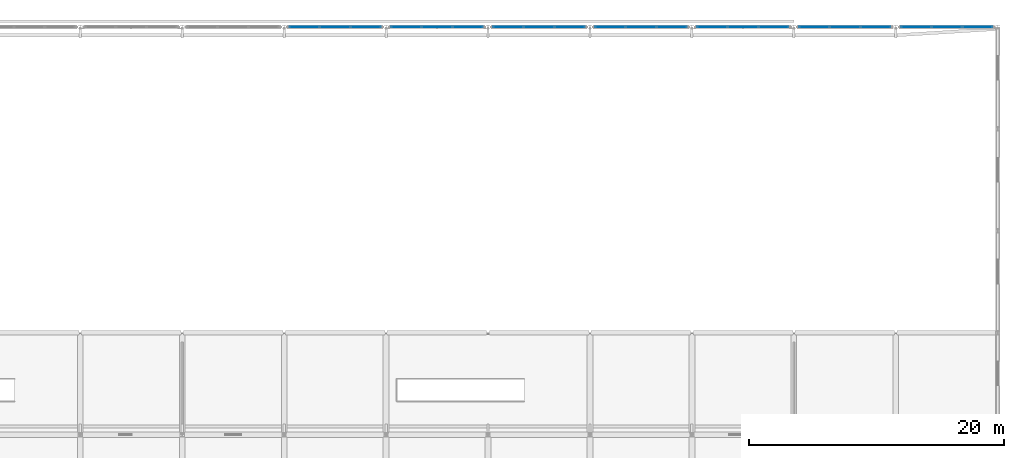
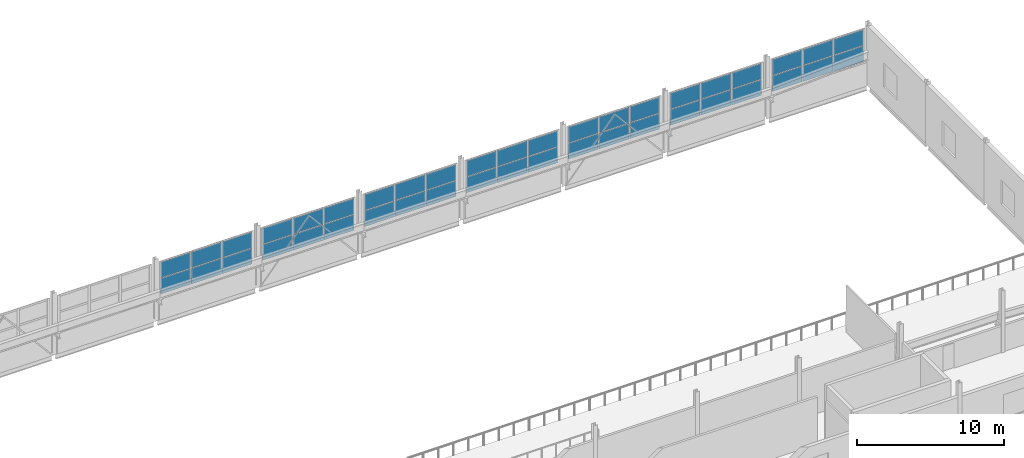
# One storey, part 76 of 106: 42 plates, 7 elements without a shape of their own.
"""IFC4 building model written with IfcOpenShell, lengths in metres."""

from ifc_helpers import new_model, si_unit, direction, frame, origin, origin_2d, place, context, subcontext, project, spatial, rectangle, extrude, material, layer, layer_set, type_object, element, aggregate, save


model = new_model("IFC4")

# Units and contexts
model_context = context("Model", 3, precision=1e-05, world=origin(), true_north=direction((0.0, 1.0)))
body_context = subcontext(model_context, "Body", "Model", "MODEL_VIEW")
ifc_project = project(units=[si_unit("LENGTHUNIT", "METRE"), si_unit("AREAUNIT", "SQUARE_METRE"), si_unit("VOLUMEUNIT", "CUBIC_METRE"), si_unit("PLANEANGLEUNIT", "RADIAN"), si_unit("MASSUNIT", "GRAM", prefix="KILO")], contexts=[model_context])

# Site, building, storey
site_placement = place(None, origin())
site = spatial("IfcSite", under=ifc_project, at=site_placement, CompositionType="ELEMENT")
building_placement = place(site_placement, origin())
building = spatial("IfcBuilding", under=site, at=building_placement, Name="Jelvoka-Kovrelna Polytechnic", CompositionType="ELEMENT")
storey_placement = place(building_placement, frame((0.0, 0.0, 4.800048828125)))
storey = spatial("IfcBuildingStorey", under=building, at=storey_placement, Name="L02", CompositionType="ELEMENT", Elevation=4.800048828125)

# Curtain wall, plates
ifc_material_1 = material(Name="Anodised aluminium 6063-T6", Category="aluminium")
ifc_layer_1 = layer(ifc_material_1, 0.199951171875)
ifc_layer_set_1 = layer_set([ifc_layer_1], Name="Anodised aluminium 6063-T6")
curtain_wall_type = type_object("IfcCurtainWallType", Name="CW_Clerestory", PredefinedType="NOTDEFINED", material=ifc_layer_set_1)
curtain_wall_1_placement = place(storey_placement, origin())
curtain_wall_1 = element("IfcCurtainWall", 1, at=curtain_wall_1_placement, inside=storey, type_object=curtain_wall_type, Name="L02 glazed curtain wall 176", PredefinedType="NOTDEFINED")
ifc_material_2 = material(Name="Solar-control double glazing", Category="glass")
ifc_layer_2 = layer(ifc_material_2, 0.035888671875)
ifc_layer_set_2 = layer_set([ifc_layer_2], Name="Solar-control double glazing")
plate_type = type_object("IfcPlateType", Name="Panel_GP-03", PredefinedType="CURTAIN_PANEL", material=ifc_layer_set_2)
plate_1_placement = place(storey_placement, frame((145.5908203125, 120.0, 2.011962890625), z_axis=(0.0, 0.0, 1.0), x_axis=(1.0, 0.0, 0.0)))
plate_1 = element("IfcPlate", 2, at=plate_1_placement, type_object=plate_type, Name="CW-03 panel 1.1", PredefinedType="CURTAIN_PANEL", context=body_context, shape_type="SweptSolid", body=[
    extrude(rectangle(XDim=2.337890625, YDim=0.035888671875, at=origin_2d()), origin(), (0.0, 0.0, 1.0), 1.296142578125),
])
plate_2_placement = place(storey_placement, frame((145.5908203125, 120.0, 3.362060546875), z_axis=(0.0, 0.0, 1.0), x_axis=(1.0, 0.0, 0.0)))
plate_2 = element("IfcPlate", 3, at=plate_2_placement, type_object=plate_type, Name="CW-03 panel 1.2", PredefinedType="CURTAIN_PANEL", context=body_context, shape_type="SweptSolid", body=[
    extrude(rectangle(XDim=2.337890625, YDim=0.035888671875, at=origin_2d()), origin(), (0.0, 0.0, 1.0), 1.296142578125),
])
plate_3_placement = place(storey_placement, frame((148.0, 120.0, 2.011962890625), z_axis=(0.0, 0.0, 1.0), x_axis=(1.0, 0.0, 0.0)))
plate_3 = element("IfcPlate", 4, at=plate_3_placement, type_object=plate_type, Name="CW-03 panel 2.1", PredefinedType="CURTAIN_PANEL", context=body_context, shape_type="SweptSolid", body=[
    extrude(rectangle(XDim=2.372802734375, YDim=0.035888671875, at=origin_2d()), origin(), (0.0, 0.0, 1.0), 1.296142578125),
])
plate_4_placement = place(storey_placement, frame((148.0, 120.0, 3.362060546875), z_axis=(0.0, 0.0, 1.0), x_axis=(1.0, 0.0, 0.0)))
plate_4 = element("IfcPlate", 5, at=plate_4_placement, type_object=plate_type, Name="CW-03 panel 2.2", PredefinedType="CURTAIN_PANEL", context=body_context, shape_type="SweptSolid", body=[
    extrude(rectangle(XDim=2.372802734375, YDim=0.035888671875, at=origin_2d()), origin(), (0.0, 0.0, 1.0), 1.296142578125),
])
plate_5_placement = place(storey_placement, frame((150.4091796875, 120.0, 2.011962890625), z_axis=(0.0, 0.0, 1.0), x_axis=(1.0, 0.0, 0.0)))
plate_5 = element("IfcPlate", 6, at=plate_5_placement, type_object=plate_type, Name="CW-03 panel 3.1", PredefinedType="CURTAIN_PANEL", context=body_context, shape_type="SweptSolid", body=[
    extrude(rectangle(XDim=2.337890625, YDim=0.035888671875, at=origin_2d()), origin(), (0.0, 0.0, 1.0), 1.296142578125),
])
plate_6_placement = place(storey_placement, frame((150.4091796875, 120.0, 3.362060546875), z_axis=(0.0, 0.0, 1.0), x_axis=(1.0, 0.0, 0.0)))
plate_6 = element("IfcPlate", 7, at=plate_6_placement, type_object=plate_type, Name="CW-03 panel 3.2", PredefinedType="CURTAIN_PANEL", context=body_context, shape_type="SweptSolid", body=[
    extrude(rectangle(XDim=2.337890625, YDim=0.035888671875, at=origin_2d()), origin(), (0.0, 0.0, 1.0), 1.296142578125),
])
aggregate(curtain_wall_1, [plate_1, plate_2, plate_3, plate_4, plate_5, plate_6])

curtain_wall_2_placement = place(storey_placement, origin())
curtain_wall_2 = element("IfcCurtainWall", 8, at=curtain_wall_2_placement, inside=storey, type_object=curtain_wall_type, Name="L02 glazed curtain wall 177", PredefinedType="NOTDEFINED")
plate_7_placement = place(storey_placement, frame((153.5908203125, 120.0, 2.011962890625), z_axis=(0.0, 0.0, 1.0), x_axis=(1.0, 0.0, 0.0)))
plate_7 = element("IfcPlate", 9, at=plate_7_placement, type_object=plate_type, Name="CW-03 panel 1.1", PredefinedType="CURTAIN_PANEL", context=body_context, shape_type="SweptSolid", body=[
    extrude(rectangle(XDim=2.337890625, YDim=0.035888671875, at=origin_2d()), origin(), (0.0, 0.0, 1.0), 1.296142578125),
])
plate_8_placement = place(storey_placement, frame((153.5908203125, 120.0, 3.362060546875), z_axis=(0.0, 0.0, 1.0), x_axis=(1.0, 0.0, 0.0)))
plate_8 = element("IfcPlate", 10, at=plate_8_placement, type_object=plate_type, Name="CW-03 panel 1.2", PredefinedType="CURTAIN_PANEL", context=body_context, shape_type="SweptSolid", body=[
    extrude(rectangle(XDim=2.337890625, YDim=0.035888671875, at=origin_2d()), origin(), (0.0, 0.0, 1.0), 1.296142578125),
])
plate_9_placement = place(storey_placement, frame((156.0, 120.0, 2.011962890625), z_axis=(0.0, 0.0, 1.0), x_axis=(1.0, 0.0, 0.0)))
plate_9 = element("IfcPlate", 11, at=plate_9_placement, type_object=plate_type, Name="CW-03 panel 2.1", PredefinedType="CURTAIN_PANEL", context=body_context, shape_type="SweptSolid", body=[
    extrude(rectangle(XDim=2.372802734375, YDim=0.035888671875, at=origin_2d()), origin(), (0.0, 0.0, 1.0), 1.296142578125),
])
plate_10_placement = place(storey_placement, frame((156.0, 120.0, 3.362060546875), z_axis=(0.0, 0.0, 1.0), x_axis=(1.0, 0.0, 0.0)))
plate_10 = element("IfcPlate", 12, at=plate_10_placement, type_object=plate_type, Name="CW-03 panel 2.2", PredefinedType="CURTAIN_PANEL", context=body_context, shape_type="SweptSolid", body=[
    extrude(rectangle(XDim=2.372802734375, YDim=0.035888671875, at=origin_2d()), origin(), (0.0, 0.0, 1.0), 1.296142578125),
])
plate_11_placement = place(storey_placement, frame((158.4091796875, 120.0, 2.011962890625), z_axis=(0.0, 0.0, 1.0), x_axis=(1.0, 0.0, 0.0)))
plate_11 = element("IfcPlate", 13, at=plate_11_placement, type_object=plate_type, Name="CW-03 panel 3.1", PredefinedType="CURTAIN_PANEL", context=body_context, shape_type="SweptSolid", body=[
    extrude(rectangle(XDim=2.337890625, YDim=0.035888671875, at=origin_2d()), origin(), (0.0, 0.0, 1.0), 1.296142578125),
])
plate_12_placement = place(storey_placement, frame((158.4091796875, 120.0, 3.362060546875), z_axis=(0.0, 0.0, 1.0), x_axis=(1.0, 0.0, 0.0)))
plate_12 = element("IfcPlate", 14, at=plate_12_placement, type_object=plate_type, Name="CW-03 panel 3.2", PredefinedType="CURTAIN_PANEL", context=body_context, shape_type="SweptSolid", body=[
    extrude(rectangle(XDim=2.337890625, YDim=0.035888671875, at=origin_2d()), origin(), (0.0, 0.0, 1.0), 1.296142578125),
])
aggregate(curtain_wall_2, [plate_7, plate_8, plate_9, plate_10, plate_11, plate_12])

curtain_wall_3_placement = place(storey_placement, origin())
curtain_wall_3 = element("IfcCurtainWall", 15, at=curtain_wall_3_placement, inside=storey, type_object=curtain_wall_type, Name="L02 glazed curtain wall 178", PredefinedType="NOTDEFINED")
plate_13_placement = place(storey_placement, frame((161.5908203125, 120.0, 2.011962890625), z_axis=(0.0, 0.0, 1.0), x_axis=(1.0, 0.0, 0.0)))
plate_13 = element("IfcPlate", 16, at=plate_13_placement, type_object=plate_type, Name="CW-03 panel 1.1", PredefinedType="CURTAIN_PANEL", context=body_context, shape_type="SweptSolid", body=[
    extrude(rectangle(XDim=2.337890625, YDim=0.035888671875, at=origin_2d()), origin(), (0.0, 0.0, 1.0), 1.296142578125),
])
plate_14_placement = place(storey_placement, frame((161.5908203125, 120.0, 3.362060546875), z_axis=(0.0, 0.0, 1.0), x_axis=(1.0, 0.0, 0.0)))
plate_14 = element("IfcPlate", 17, at=plate_14_placement, type_object=plate_type, Name="CW-03 panel 1.2", PredefinedType="CURTAIN_PANEL", context=body_context, shape_type="SweptSolid", body=[
    extrude(rectangle(XDim=2.337890625, YDim=0.035888671875, at=origin_2d()), origin(), (0.0, 0.0, 1.0), 1.296142578125),
])
plate_15_placement = place(storey_placement, frame((164.0, 120.0, 2.011962890625), z_axis=(0.0, 0.0, 1.0), x_axis=(1.0, 0.0, 0.0)))
plate_15 = element("IfcPlate", 18, at=plate_15_placement, type_object=plate_type, Name="CW-03 panel 2.1", PredefinedType="CURTAIN_PANEL", context=body_context, shape_type="SweptSolid", body=[
    extrude(rectangle(XDim=2.372802734375, YDim=0.035888671875, at=origin_2d()), origin(), (0.0, 0.0, 1.0), 1.296142578125),
])
plate_16_placement = place(storey_placement, frame((164.0, 120.0, 3.362060546875), z_axis=(0.0, 0.0, 1.0), x_axis=(1.0, 0.0, 0.0)))
plate_16 = element("IfcPlate", 19, at=plate_16_placement, type_object=plate_type, Name="CW-03 panel 2.2", PredefinedType="CURTAIN_PANEL", context=body_context, shape_type="SweptSolid", body=[
    extrude(rectangle(XDim=2.372802734375, YDim=0.035888671875, at=origin_2d()), origin(), (0.0, 0.0, 1.0), 1.296142578125),
])
plate_17_placement = place(storey_placement, frame((166.4091796875, 120.0, 2.011962890625), z_axis=(0.0, 0.0, 1.0), x_axis=(1.0, 0.0, 0.0)))
plate_17 = element("IfcPlate", 20, at=plate_17_placement, type_object=plate_type, Name="CW-03 panel 3.1", PredefinedType="CURTAIN_PANEL", context=body_context, shape_type="SweptSolid", body=[
    extrude(rectangle(XDim=2.337890625, YDim=0.035888671875, at=origin_2d()), origin(), (0.0, 0.0, 1.0), 1.296142578125),
])
plate_18_placement = place(storey_placement, frame((166.4091796875, 120.0, 3.362060546875), z_axis=(0.0, 0.0, 1.0), x_axis=(1.0, 0.0, 0.0)))
plate_18 = element("IfcPlate", 21, at=plate_18_placement, type_object=plate_type, Name="CW-03 panel 3.2", PredefinedType="CURTAIN_PANEL", context=body_context, shape_type="SweptSolid", body=[
    extrude(rectangle(XDim=2.337890625, YDim=0.035888671875, at=origin_2d()), origin(), (0.0, 0.0, 1.0), 1.296142578125),
])
aggregate(curtain_wall_3, [plate_13, plate_14, plate_15, plate_16, plate_17, plate_18])

curtain_wall_4_placement = place(storey_placement, origin())
curtain_wall_4 = element("IfcCurtainWall", 22, at=curtain_wall_4_placement, inside=storey, type_object=curtain_wall_type, Name="L02 glazed curtain wall 179", PredefinedType="NOTDEFINED")
plate_19_placement = place(storey_placement, frame((169.5908203125, 120.0, 2.011962890625), z_axis=(0.0, 0.0, 1.0), x_axis=(1.0, 0.0, 0.0)))
plate_19 = element("IfcPlate", 23, at=plate_19_placement, type_object=plate_type, Name="CW-03 panel 1.1", PredefinedType="CURTAIN_PANEL", context=body_context, shape_type="SweptSolid", body=[
    extrude(rectangle(XDim=2.337890625, YDim=0.035888671875, at=origin_2d()), origin(), (0.0, 0.0, 1.0), 1.296142578125),
])
plate_20_placement = place(storey_placement, frame((169.5908203125, 120.0, 3.362060546875), z_axis=(0.0, 0.0, 1.0), x_axis=(1.0, 0.0, 0.0)))
plate_20 = element("IfcPlate", 24, at=plate_20_placement, type_object=plate_type, Name="CW-03 panel 1.2", PredefinedType="CURTAIN_PANEL", context=body_context, shape_type="SweptSolid", body=[
    extrude(rectangle(XDim=2.337890625, YDim=0.035888671875, at=origin_2d()), origin(), (0.0, 0.0, 1.0), 1.296142578125),
])
plate_21_placement = place(storey_placement, frame((172.0, 120.0, 2.011962890625), z_axis=(0.0, 0.0, 1.0), x_axis=(1.0, 0.0, 0.0)))
plate_21 = element("IfcPlate", 25, at=plate_21_placement, type_object=plate_type, Name="CW-03 panel 2.1", PredefinedType="CURTAIN_PANEL", context=body_context, shape_type="SweptSolid", body=[
    extrude(rectangle(XDim=2.372802734375, YDim=0.035888671875, at=origin_2d()), origin(), (0.0, 0.0, 1.0), 1.296142578125),
])
plate_22_placement = place(storey_placement, frame((172.0, 120.0, 3.362060546875), z_axis=(0.0, 0.0, 1.0), x_axis=(1.0, 0.0, 0.0)))
plate_22 = element("IfcPlate", 26, at=plate_22_placement, type_object=plate_type, Name="CW-03 panel 2.2", PredefinedType="CURTAIN_PANEL", context=body_context, shape_type="SweptSolid", body=[
    extrude(rectangle(XDim=2.372802734375, YDim=0.035888671875, at=origin_2d()), origin(), (0.0, 0.0, 1.0), 1.296142578125),
])
plate_23_placement = place(storey_placement, frame((174.4091796875, 120.0, 2.011962890625), z_axis=(0.0, 0.0, 1.0), x_axis=(1.0, 0.0, 0.0)))
plate_23 = element("IfcPlate", 27, at=plate_23_placement, type_object=plate_type, Name="CW-03 panel 3.1", PredefinedType="CURTAIN_PANEL", context=body_context, shape_type="SweptSolid", body=[
    extrude(rectangle(XDim=2.337890625, YDim=0.035888671875, at=origin_2d()), origin(), (0.0, 0.0, 1.0), 1.296142578125),
])
plate_24_placement = place(storey_placement, frame((174.4091796875, 120.0, 3.362060546875), z_axis=(0.0, 0.0, 1.0), x_axis=(1.0, 0.0, 0.0)))
plate_24 = element("IfcPlate", 28, at=plate_24_placement, type_object=plate_type, Name="CW-03 panel 3.2", PredefinedType="CURTAIN_PANEL", context=body_context, shape_type="SweptSolid", body=[
    extrude(rectangle(XDim=2.337890625, YDim=0.035888671875, at=origin_2d()), origin(), (0.0, 0.0, 1.0), 1.296142578125),
])
aggregate(curtain_wall_4, [plate_19, plate_20, plate_21, plate_22, plate_23, plate_24])

curtain_wall_5_placement = place(storey_placement, origin())
curtain_wall_5 = element("IfcCurtainWall", 29, at=curtain_wall_5_placement, inside=storey, type_object=curtain_wall_type, Name="L02 glazed curtain wall 180", PredefinedType="NOTDEFINED")
plate_25_placement = place(storey_placement, frame((177.5908203125, 120.0, 2.011962890625), z_axis=(0.0, 0.0, 1.0), x_axis=(1.0, 0.0, 0.0)))
plate_25 = element("IfcPlate", 30, at=plate_25_placement, type_object=plate_type, Name="CW-03 panel 1.1", PredefinedType="CURTAIN_PANEL", context=body_context, shape_type="SweptSolid", body=[
    extrude(rectangle(XDim=2.337890625, YDim=0.035888671875, at=origin_2d()), origin(), (0.0, 0.0, 1.0), 1.296142578125),
])
plate_26_placement = place(storey_placement, frame((177.5908203125, 120.0, 3.362060546875), z_axis=(0.0, 0.0, 1.0), x_axis=(1.0, 0.0, 0.0)))
plate_26 = element("IfcPlate", 31, at=plate_26_placement, type_object=plate_type, Name="CW-03 panel 1.2", PredefinedType="CURTAIN_PANEL", context=body_context, shape_type="SweptSolid", body=[
    extrude(rectangle(XDim=2.337890625, YDim=0.035888671875, at=origin_2d()), origin(), (0.0, 0.0, 1.0), 1.296142578125),
])
plate_27_placement = place(storey_placement, frame((180.0, 120.0, 2.011962890625), z_axis=(0.0, 0.0, 1.0), x_axis=(1.0, 0.0, 0.0)))
plate_27 = element("IfcPlate", 32, at=plate_27_placement, type_object=plate_type, Name="CW-03 panel 2.1", PredefinedType="CURTAIN_PANEL", context=body_context, shape_type="SweptSolid", body=[
    extrude(rectangle(XDim=2.372802734375, YDim=0.035888671875, at=origin_2d()), origin(), (0.0, 0.0, 1.0), 1.296142578125),
])
plate_28_placement = place(storey_placement, frame((180.0, 120.0, 3.362060546875), z_axis=(0.0, 0.0, 1.0), x_axis=(1.0, 0.0, 0.0)))
plate_28 = element("IfcPlate", 33, at=plate_28_placement, type_object=plate_type, Name="CW-03 panel 2.2", PredefinedType="CURTAIN_PANEL", context=body_context, shape_type="SweptSolid", body=[
    extrude(rectangle(XDim=2.372802734375, YDim=0.035888671875, at=origin_2d()), origin(), (0.0, 0.0, 1.0), 1.296142578125),
])
plate_29_placement = place(storey_placement, frame((182.4091796875, 120.0, 2.011962890625), z_axis=(0.0, 0.0, 1.0), x_axis=(1.0, 0.0, 0.0)))
plate_29 = element("IfcPlate", 34, at=plate_29_placement, type_object=plate_type, Name="CW-03 panel 3.1", PredefinedType="CURTAIN_PANEL", context=body_context, shape_type="SweptSolid", body=[
    extrude(rectangle(XDim=2.337890625, YDim=0.035888671875, at=origin_2d()), origin(), (0.0, 0.0, 1.0), 1.296142578125),
])
plate_30_placement = place(storey_placement, frame((182.4091796875, 120.0, 3.362060546875), z_axis=(0.0, 0.0, 1.0), x_axis=(1.0, 0.0, 0.0)))
plate_30 = element("IfcPlate", 35, at=plate_30_placement, type_object=plate_type, Name="CW-03 panel 3.2", PredefinedType="CURTAIN_PANEL", context=body_context, shape_type="SweptSolid", body=[
    extrude(rectangle(XDim=2.337890625, YDim=0.035888671875, at=origin_2d()), origin(), (0.0, 0.0, 1.0), 1.296142578125),
])
aggregate(curtain_wall_5, [plate_25, plate_26, plate_27, plate_28, plate_29, plate_30])

curtain_wall_6_placement = place(storey_placement, origin())
curtain_wall_6 = element("IfcCurtainWall", 36, at=curtain_wall_6_placement, inside=storey, type_object=curtain_wall_type, Name="L02 glazed curtain wall 181", PredefinedType="NOTDEFINED")
plate_31_placement = place(storey_placement, frame((185.5908203125, 120.0, 2.011962890625), z_axis=(0.0, 0.0, 1.0), x_axis=(1.0, 0.0, 0.0)))
plate_31 = element("IfcPlate", 37, at=plate_31_placement, type_object=plate_type, Name="CW-03 panel 1.1", PredefinedType="CURTAIN_PANEL", context=body_context, shape_type="SweptSolid", body=[
    extrude(rectangle(XDim=2.337890625, YDim=0.035888671875, at=origin_2d()), origin(), (0.0, 0.0, 1.0), 1.296142578125),
])
plate_32_placement = place(storey_placement, frame((185.5908203125, 120.0, 3.362060546875), z_axis=(0.0, 0.0, 1.0), x_axis=(1.0, 0.0, 0.0)))
plate_32 = element("IfcPlate", 38, at=plate_32_placement, type_object=plate_type, Name="CW-03 panel 1.2", PredefinedType="CURTAIN_PANEL", context=body_context, shape_type="SweptSolid", body=[
    extrude(rectangle(XDim=2.337890625, YDim=0.035888671875, at=origin_2d()), origin(), (0.0, 0.0, 1.0), 1.296142578125),
])
plate_33_placement = place(storey_placement, frame((188.0, 120.0, 2.011962890625), z_axis=(0.0, 0.0, 1.0), x_axis=(1.0, 0.0, 0.0)))
plate_33 = element("IfcPlate", 39, at=plate_33_placement, type_object=plate_type, Name="CW-03 panel 2.1", PredefinedType="CURTAIN_PANEL", context=body_context, shape_type="SweptSolid", body=[
    extrude(rectangle(XDim=2.372802734375, YDim=0.035888671875, at=origin_2d()), origin(), (0.0, 0.0, 1.0), 1.296142578125),
])
plate_34_placement = place(storey_placement, frame((188.0, 120.0, 3.362060546875), z_axis=(0.0, 0.0, 1.0), x_axis=(1.0, 0.0, 0.0)))
plate_34 = element("IfcPlate", 40, at=plate_34_placement, type_object=plate_type, Name="CW-03 panel 2.2", PredefinedType="CURTAIN_PANEL", context=body_context, shape_type="SweptSolid", body=[
    extrude(rectangle(XDim=2.372802734375, YDim=0.035888671875, at=origin_2d()), origin(), (0.0, 0.0, 1.0), 1.296142578125),
])
plate_35_placement = place(storey_placement, frame((190.4091796875, 120.0, 2.011962890625), z_axis=(0.0, 0.0, 1.0), x_axis=(1.0, 0.0, 0.0)))
plate_35 = element("IfcPlate", 41, at=plate_35_placement, type_object=plate_type, Name="CW-03 panel 3.1", PredefinedType="CURTAIN_PANEL", context=body_context, shape_type="SweptSolid", body=[
    extrude(rectangle(XDim=2.337890625, YDim=0.035888671875, at=origin_2d()), origin(), (0.0, 0.0, 1.0), 1.296142578125),
])
plate_36_placement = place(storey_placement, frame((190.4091796875, 120.0, 3.362060546875), z_axis=(0.0, 0.0, 1.0), x_axis=(1.0, 0.0, 0.0)))
plate_36 = element("IfcPlate", 42, at=plate_36_placement, type_object=plate_type, Name="CW-03 panel 3.2", PredefinedType="CURTAIN_PANEL", context=body_context, shape_type="SweptSolid", body=[
    extrude(rectangle(XDim=2.337890625, YDim=0.035888671875, at=origin_2d()), origin(), (0.0, 0.0, 1.0), 1.296142578125),
])
aggregate(curtain_wall_6, [plate_31, plate_32, plate_33, plate_34, plate_35, plate_36])

curtain_wall_7_placement = place(storey_placement, origin())
curtain_wall_7 = element("IfcCurtainWall", 43, at=curtain_wall_7_placement, inside=storey, type_object=curtain_wall_type, Name="L02 glazed curtain wall 182", PredefinedType="NOTDEFINED")
plate_37_placement = place(storey_placement, frame((193.5908203125, 120.0, 2.011962890625), z_axis=(0.0, 0.0, 1.0), x_axis=(1.0, 0.0, 0.0)))
plate_37 = element("IfcPlate", 44, at=plate_37_placement, type_object=plate_type, Name="CW-03 panel 1.1", PredefinedType="CURTAIN_PANEL", context=body_context, shape_type="SweptSolid", body=[
    extrude(rectangle(XDim=2.337890625, YDim=0.035888671875, at=origin_2d()), origin(), (0.0, 0.0, 1.0), 1.296142578125),
])
plate_38_placement = place(storey_placement, frame((193.5908203125, 120.0, 3.362060546875), z_axis=(0.0, 0.0, 1.0), x_axis=(1.0, 0.0, 0.0)))
plate_38 = element("IfcPlate", 45, at=plate_38_placement, type_object=plate_type, Name="CW-03 panel 1.2", PredefinedType="CURTAIN_PANEL", context=body_context, shape_type="SweptSolid", body=[
    extrude(rectangle(XDim=2.337890625, YDim=0.035888671875, at=origin_2d()), origin(), (0.0, 0.0, 1.0), 1.296142578125),
])
plate_39_placement = place(storey_placement, frame((196.0, 120.0, 2.011962890625), z_axis=(0.0, 0.0, 1.0), x_axis=(1.0, 0.0, 0.0)))
plate_39 = element("IfcPlate", 46, at=plate_39_placement, type_object=plate_type, Name="CW-03 panel 2.1", PredefinedType="CURTAIN_PANEL", context=body_context, shape_type="SweptSolid", body=[
    extrude(rectangle(XDim=2.372802734375, YDim=0.035888671875, at=origin_2d()), origin(), (0.0, 0.0, 1.0), 1.296142578125),
])
plate_40_placement = place(storey_placement, frame((196.0, 120.0, 3.362060546875), z_axis=(0.0, 0.0, 1.0), x_axis=(1.0, 0.0, 0.0)))
plate_40 = element("IfcPlate", 47, at=plate_40_placement, type_object=plate_type, Name="CW-03 panel 2.2", PredefinedType="CURTAIN_PANEL", context=body_context, shape_type="SweptSolid", body=[
    extrude(rectangle(XDim=2.372802734375, YDim=0.035888671875, at=origin_2d()), origin(), (0.0, 0.0, 1.0), 1.296142578125),
])
plate_41_placement = place(storey_placement, frame((198.4091796875, 120.0, 2.011962890625), z_axis=(0.0, 0.0, 1.0), x_axis=(1.0, 0.0, 0.0)))
plate_41 = element("IfcPlate", 48, at=plate_41_placement, type_object=plate_type, Name="CW-03 panel 3.1", PredefinedType="CURTAIN_PANEL", context=body_context, shape_type="SweptSolid", body=[
    extrude(rectangle(XDim=2.337890625, YDim=0.035888671875, at=origin_2d()), origin(), (0.0, 0.0, 1.0), 1.296142578125),
])
plate_42_placement = place(storey_placement, frame((198.4091796875, 120.0, 3.362060546875), z_axis=(0.0, 0.0, 1.0), x_axis=(1.0, 0.0, 0.0)))
plate_42 = element("IfcPlate", 49, at=plate_42_placement, type_object=plate_type, Name="CW-03 panel 3.2", PredefinedType="CURTAIN_PANEL", context=body_context, shape_type="SweptSolid", body=[
    extrude(rectangle(XDim=2.337890625, YDim=0.035888671875, at=origin_2d()), origin(), (0.0, 0.0, 1.0), 1.296142578125),
])
aggregate(curtain_wall_7, [plate_37, plate_38, plate_39, plate_40, plate_41, plate_42])

save(model, "model.ifc")
